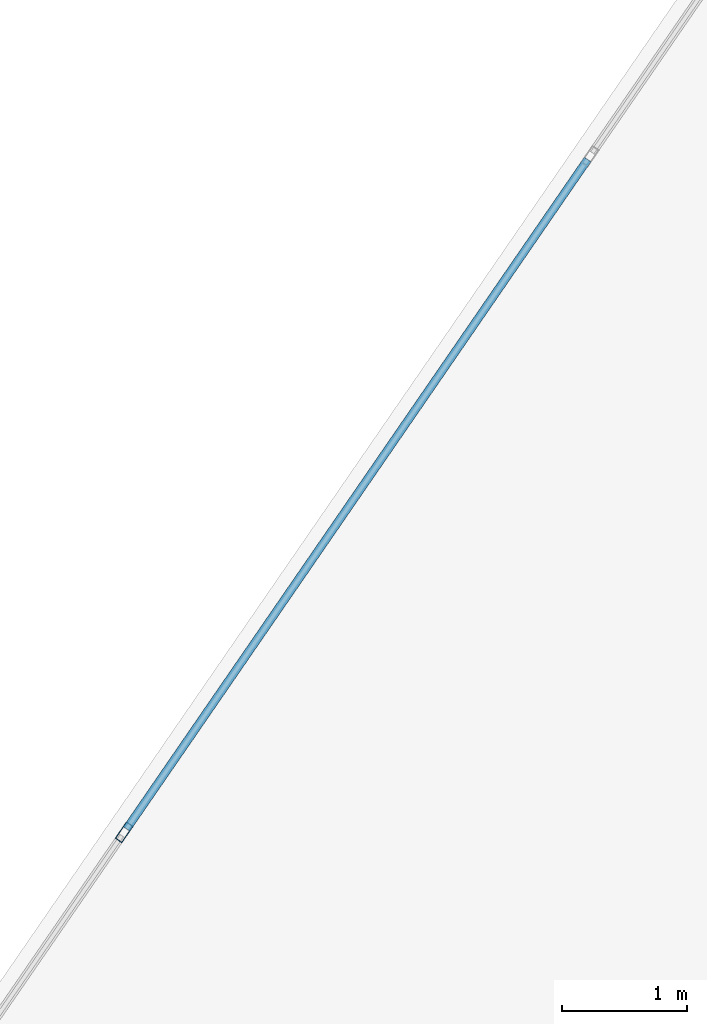
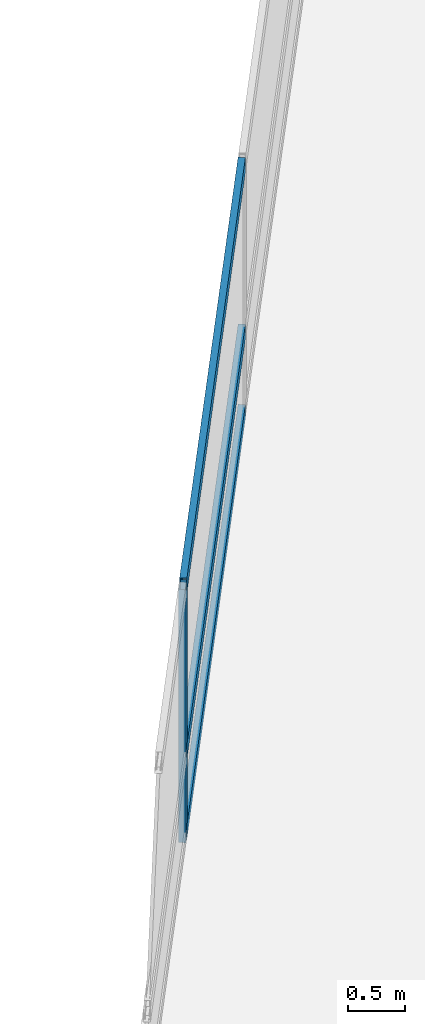
# One storey, part 13 of 24: 4 members, 1 element without a shape of its own.
"""IFC4 building model written with IfcOpenShell, lengths in metres."""

from ifc_helpers import new_model, si_unit, direction, frame, origin, origin_2d, place, context, subcontext, project, spatial, hollow_rectangle, extrude, material, layer, layer_set, material_profile, profile_set, type_object, element, aggregate, save


model = new_model("IFC4")

# Units and contexts
model_context = context("Model", 3, precision=1e-05, world=origin(), true_north=direction((0.0, 1.0)))
body_context = subcontext(model_context, "Body", "Model", "MODEL_VIEW")
ifc_project = project(units=[si_unit("LENGTHUNIT", "METRE"), si_unit("AREAUNIT", "SQUARE_METRE"), si_unit("VOLUMEUNIT", "CUBIC_METRE"), si_unit("PLANEANGLEUNIT", "RADIAN"), si_unit("MASSUNIT", "GRAM", prefix="KILO")], contexts=[model_context])

# Site, building, storey
site_placement = place(None, origin())
site = spatial("IfcSite", under=ifc_project, at=site_placement, CompositionType="ELEMENT")
building_placement = place(site_placement, origin())
building = spatial("IfcBuilding", under=site, at=building_placement, Name="Varnelok Gate Tower", CompositionType="ELEMENT")
storey_placement = place(building_placement, frame((0.0, 0.0, 41.800048828125)))
storey = spatial("IfcBuildingStorey", under=building, at=storey_placement, Name="L09", CompositionType="ELEMENT", Elevation=41.800048828125)

# Curtain wall, members
ifc_material = material(Name="Anodized Aluminum Alloy 6063-T6", Category="aluminium")
ifc_layer = layer(ifc_material, 0.179931640625)
ifc_layer_set = layer_set([ifc_layer], Name="Anodized Aluminum Alloy 6063-T6")
curtain_wall_type = type_object("IfcCurtainWallType", Name="CW3-HOTEL-VISION", PredefinedType="USERDEFINED", material=ifc_layer_set)
curtain_wall_placement = place(storey_placement, origin())
curtain_wall = element("IfcCurtainWall", 1, at=curtain_wall_placement, inside=storey, type_object=curtain_wall_type, Name="L09 West End Vision Curtain Wall", ObjectType="UNITISED CURTAIN WALL", PredefinedType="USERDEFINED")
ifc_material_profile_1 = material_profile(ifc_material, hollow_rectangle(XDim=0.06494140625, YDim=0.159912109375, WallThickness=0.00390625, at=origin_2d()), Name="ALU160X65X4")
ifc_profile_set_1 = profile_set([ifc_material_profile_1], Name="Anodized Aluminum Alloy 6063-T6")
member_type_1 = type_object("IfcMemberType", Name="CW-MULL-160", PredefinedType="MULLION", material=ifc_profile_set_1)
member_1_placement = place(storey_placement, frame((10.7578125, 52.865478515625, 0.0), z_axis=(0.0, 0.0, 1.0), x_axis=(-0.823532685111, 0.567268822124, 0.0)))
member_1 = element("IfcMember", 2, at=member_1_placement, type_object=member_type_1, Name="CW3 mullion 5", PredefinedType="MULLION", context=body_context, shape_type="SweptSolid", body=[
    extrude(hollow_rectangle(XDim=0.06494140625, YDim=0.159912109375, WallThickness=0.00390625, at=origin_2d()), origin(), (0.0, 0.0, 1.0), 2.72998046875),
])
ifc_material_profile_2 = material_profile(ifc_material, hollow_rectangle(XDim=0.06494140625, YDim=0.159912109375, WallThickness=0.00390625, at=origin_2d()), Name="ALU160X65X4")
ifc_profile_set_2 = profile_set([ifc_material_profile_2], Name="Anodized Aluminum Alloy 6063-T6")
member_type_2 = type_object("IfcMemberType", Name="CW-TRAN-160", PredefinedType="USERDEFINED", material=ifc_profile_set_2)
member_2_placement = place(storey_placement, frame((10.7763671875, 52.89208984375, 0.032470703125), z_axis=(0.567261662339, 0.823537616894, 0.0), x_axis=(-0.823537616894, 0.567261662339, 0.0)))
member_2 = element("IfcMember", 3, at=member_2_placement, type_object=member_type_2, Name="CW3 transom 5.1", ObjectType="TRANSOM", PredefinedType="USERDEFINED", context=body_context, shape_type="SweptSolid", body=[
    extrude(hollow_rectangle(XDim=0.06494140625, YDim=0.159912109375, WallThickness=0.00390625, at=origin_2d()), origin(), (0.0, 0.0, 1.0), 6.501708984375),
])
member_3_placement = place(storey_placement, frame((10.7763671875, 52.89208984375, 0.89990234375), z_axis=(0.567261662339, 0.823537616894, 0.0), x_axis=(-0.823537616894, 0.567261662339, 0.0)))
member_3 = element("IfcMember", 4, at=member_3_placement, type_object=member_type_2, Name="CW3 transom 5.2", ObjectType="TRANSOM", PredefinedType="USERDEFINED", context=body_context, shape_type="SweptSolid", body=[
    extrude(hollow_rectangle(XDim=0.06494140625, YDim=0.159912109375, WallThickness=0.00390625, at=origin_2d()), origin(), (0.0, 0.0, 1.0), 6.501708984375),
])
member_4_placement = place(storey_placement, frame((10.7763671875, 52.89208984375, 2.697509765625), z_axis=(0.567261662339, 0.823537616894, 0.0), x_axis=(-0.823537616894, 0.567261662339, 0.0)))
member_4 = element("IfcMember", 5, at=member_4_placement, type_object=member_type_2, Name="CW3 transom 5.3", ObjectType="TRANSOM", PredefinedType="USERDEFINED", context=body_context, shape_type="SweptSolid", body=[
    extrude(hollow_rectangle(XDim=0.06494140625, YDim=0.159912109375, WallThickness=0.00390625, at=origin_2d()), origin(), (0.0, 0.0, 1.0), 6.501708984375),
])
aggregate(curtain_wall, [member_1, member_2, member_3, member_4])

save(model, "model.ifc")
